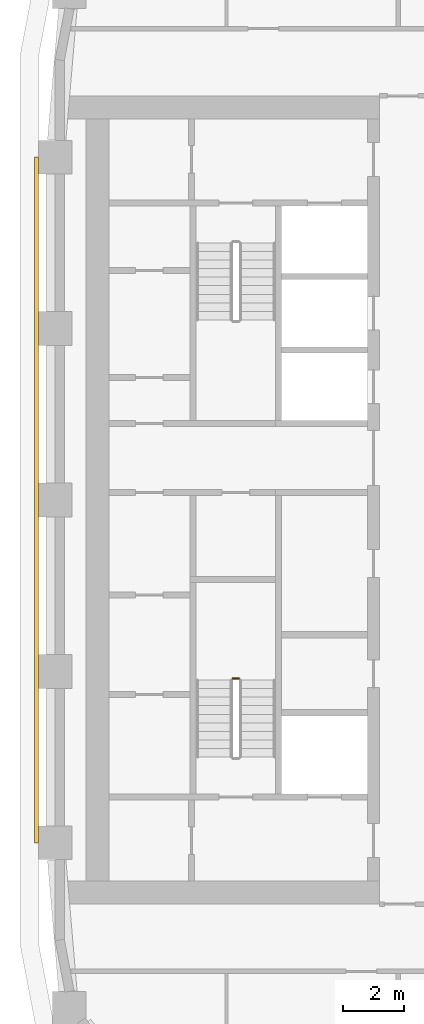
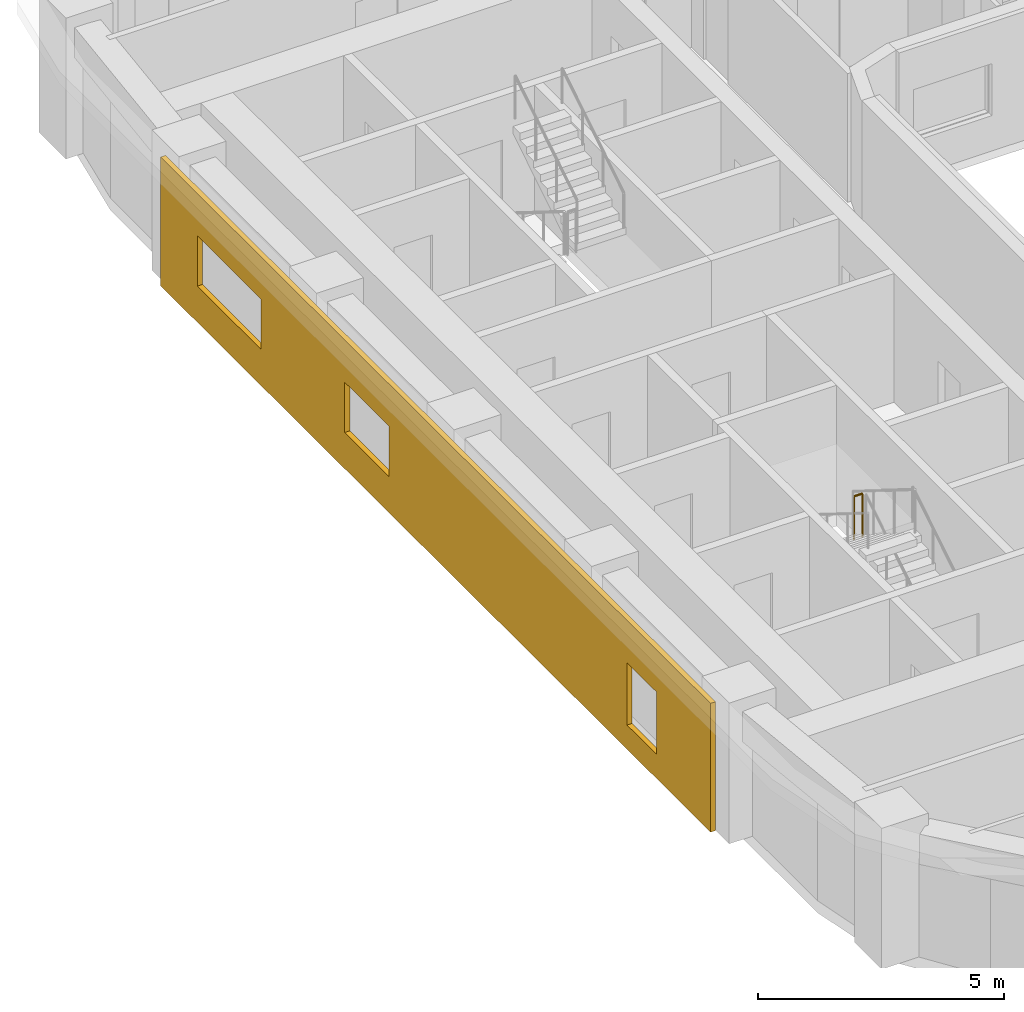
# One storey, part 13 of 22: 1 covering, 1 railing.
"""IFC4 building model written with IfcOpenShell, lengths in metres."""

from ifc_helpers import new_model, si_unit, direction, frame, origin, origin_2d, place, context, subcontext, project, spatial, polyline, circle, outline, extrude, material, layer, layer_set, type_object, element, save


model = new_model("IFC4")

# Units and contexts
model_context = context("Model", 3, precision=1e-05, world=origin(), true_north=direction((0.0, 1.0)))
body_context = subcontext(model_context, "Body", "Model", "MODEL_VIEW")
ifc_project = project(units=[si_unit("LENGTHUNIT", "METRE"), si_unit("AREAUNIT", "SQUARE_METRE"), si_unit("VOLUMEUNIT", "CUBIC_METRE"), si_unit("PLANEANGLEUNIT", "RADIAN"), si_unit("MASSUNIT", "GRAM", prefix="KILO")], contexts=[model_context])

# Site, building, storey
site_placement = place(None, origin())
site = spatial("IfcSite", under=ifc_project, at=site_placement, CompositionType="ELEMENT")
building_placement = place(site_placement, origin())
building = spatial("IfcBuilding", under=site, at=building_placement, Name="Kiln Ring Residences", CompositionType="ELEMENT")
storey_placement = place(building_placement, frame((0.0, 0.0, 146.60009765625)))
storey = spatial("IfcBuildingStorey", under=building, at=storey_placement, Name="L37", CompositionType="ELEMENT", Elevation=146.60009765625)

# Railing
ifc_material_1 = material(Name="Stainless steel", Category="steel")
railing_type = type_object("IfcRailingType", Name="CORE-STAIR-GUARD", PredefinedType="GUARDRAIL", material=ifc_material_1)
railing_placement = place(storey_placement, frame((-22.0, -5.830078125, 1.75)))
element("IfcRailing", 1, at=railing_placement, inside=storey, type_object=railing_type, Name="L37 W-STS stair guard 2", PredefinedType="GUARDRAIL", context=body_context, shape_type="SweptSolid", body=[
    extrude(circle(Radius=0.02392578125, at=origin_2d()), frame((0.0, 0.0, 1.076171875), z_axis=(-1.0, 0.0, 0.0), x_axis=(0.0, -1.0, 0.0)), (0.0, 0.0, 1.0), 0.199951171875),
    extrude(circle(Radius=0.02099609375, at=origin_2d()), origin(), (0.0, 0.0, 1.0), 1.052001953125),
    extrude(circle(Radius=0.02099609375, at=origin_2d()), frame((-0.199951171875, 0.0, 0.0)), (0.0, 0.0, 1.0), 1.052001953125),
])

# Covering
ifc_material_2 = material(Name="Brick masonry, dark clay brick", Category="masonry")
ifc_layer = layer(ifc_material_2, 0.1201171875)
ifc_layer_set = layer_set([ifc_layer], Name="RAINSCREEN PANEL 120")
covering_type = type_object("IfcCoveringType", Name="RAINSCREEN PANEL 120", PredefinedType="CLADDING", material=ifc_layer_set)
covering_placement = place(storey_placement, frame((-28.610107421875, 11.199951171875, 0.0), z_axis=(0.0, 0.0, 1.0), x_axis=(0.0, -1.0, 0.0)))
element("IfcCovering", 2, at=covering_placement, inside=storey, type_object=covering_type, Name="RAINSCREEN L37", PredefinedType="CLADDING", context=body_context, shape_type="SweptSolid", body=[
    extrude(outline(polyline([(0.0, 0.0), (22.39990234375, 0.0), (22.39990234375, 3.199951171875), (0.0, 3.199951171875), (0.0, 0.0)]), holes=[polyline([(20.199951171875, 2.14990234375), (19.0, 2.14990234375), (19.0, 0.599853515625), (20.199951171875, 0.599853515625), (20.199951171875, 2.14990234375)]), polyline([(4.10009765625, 0.89990234375), (4.10009765625, 2.14990234375), (1.5, 2.14990234375), (1.5, 0.89990234375), (4.10009765625, 0.89990234375)]), polyline([(9.300048828125, 0.89990234375), (9.300048828125, 2.14990234375), (7.5, 2.14990234375), (7.5, 0.89990234375), (9.300048828125, 0.89990234375)])]), frame((0.0, 0.06005859375, 0.0), z_axis=(0.0, -1.0, 0.0), x_axis=(1.0, 0.0, 0.0)), (0.0, 0.0, 1.0), 0.1201171875),
])

save(model, "model.ifc")
